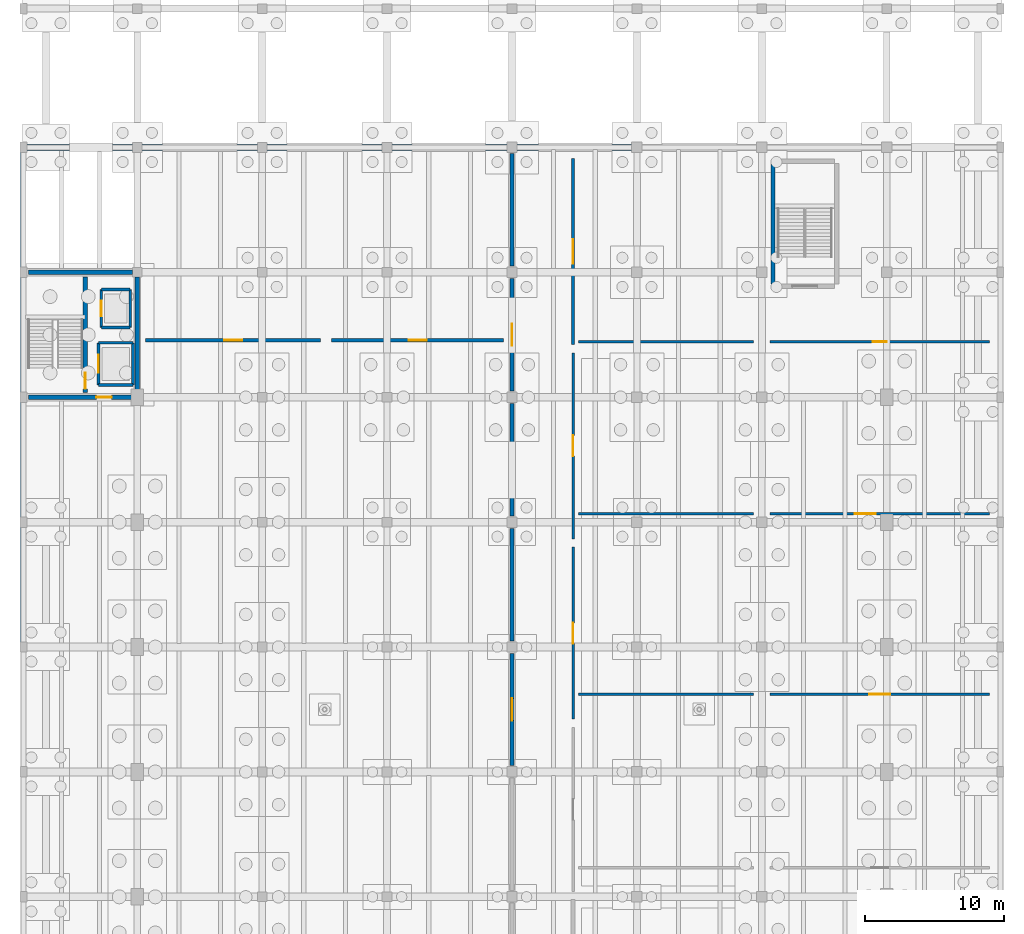
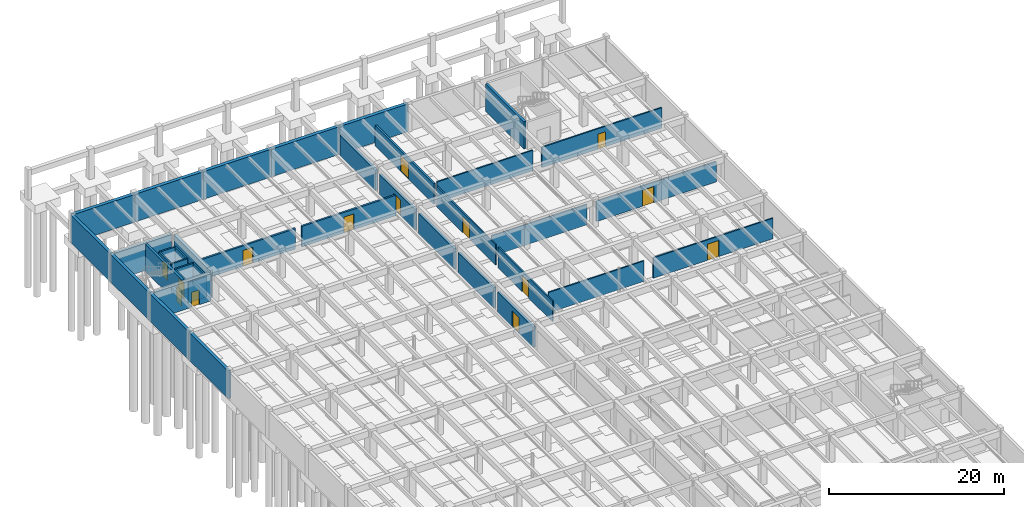
# One storey, part 20 of 23: 38 walls, 14 doors, 14 openings.
"""IFC4 building model written with IfcOpenShell, lengths in metres."""

from ifc_helpers import new_model, si_unit, direction, frame, frame_2d, origin, place, context, subcontext, project, spatial, rectangle, extrude, material, layer, layer_set, type_object, element, fill, save


model = new_model("IFC4")

# Units and contexts
model_context = context("Model", 3, precision=1e-05, world=origin(), true_north=direction((0.0, 1.0)))
body_context = subcontext(model_context, "Body", "Model", "MODEL_VIEW")
ifc_project = project(units=[si_unit("LENGTHUNIT", "METRE"), si_unit("AREAUNIT", "SQUARE_METRE"), si_unit("VOLUMEUNIT", "CUBIC_METRE"), si_unit("PLANEANGLEUNIT", "RADIAN"), si_unit("MASSUNIT", "GRAM", prefix="KILO")], contexts=[model_context])

# Site, building, storey
site_placement = place(None, origin())
site = spatial("IfcSite", under=ifc_project, at=site_placement, CompositionType="ELEMENT")
building_placement = place(site_placement, origin())
building = spatial("IfcBuilding", under=site, at=building_placement, Name="Ornek Quay Market", CompositionType="ELEMENT")
storey_placement = place(building_placement, frame((0.0, 0.0, -4.199951171875)))
storey = spatial("IfcBuildingStorey", under=building, at=storey_placement, Name="B1", CompositionType="ELEMENT", Elevation=-4.199951171875)

# Wall, opening, door
ifc_material_1 = material(Name="Concrete C40/50", Category="concrete")
ifc_layer_1 = layer(ifc_material_1, 0.300048828125, Name="Concrete C40/50", Category="concrete")
ifc_layer_set_1 = layer_set([ifc_layer_1], Name="Concrete C40/50")
wall_type_1 = type_object("IfcWallType", Name="WL-CORE-300", PredefinedType="SHEAR", material=ifc_layer_set_1)
wall_1_placement = place(storey_placement, frame((59.25, 92.35009765625, 0.0), z_axis=(0.0, 0.0, 1.0), x_axis=(0.0, 1.0, 0.0)))
wall_1 = element("IfcWall", 1, at=wall_1_placement, inside=storey, type_object=wall_type_1, Name="Interior wall W-CORE1-026", PredefinedType="SHEAR", context=body_context, shape_type="SweptSolid", body=[
    extrude(rectangle(XDim=8.2998046875, YDim=0.300048828125, at=frame_2d((4.14990234375, 0.0))), origin(), (0.0, 0.0, 1.0), 3.820068359375),
])
opening_1_placement = place(wall_1_placement, frame((0.25, 0.0, 0.0)))
opening_1 = element("IfcOpeningElement", 2, at=opening_1_placement, cuts=wall_1, Name="Opening FD-03-013", PredefinedType="OPENING", context=body_context, shape_type="SweptSolid", body=[
    extrude(rectangle(XDim=1.14990234375, YDim=2.14990234375, at=frame_2d((0.574951171875, 1.074951171875))), frame((0.0, 0.159912109375, 0.0), z_axis=(0.0, -1.0, 0.0), x_axis=(1.0, 0.0, 0.0)), (0.0, 0.0, 1.0), 0.320068359375),
])
ifc_material_2 = material(Name="Insulated fire-rated painted steel", Category="steel")
door_type_1 = type_object("IfcDoorType", Name="DR-FIRE-STAIR-1150x2150", OperationType="NOTDEFINED", PredefinedType="DOOR", material=ifc_material_2)
door_1_placement = place(opening_1_placement, origin())
door_1 = element("IfcDoor", 3, at=door_1_placement, inside=storey, type_object=door_type_1, Name="Interior door FD-03-013", OperationType="SINGLE_SWING_RIGHT", OverallHeight=2.14990234375, OverallWidth=1.14990234375, PredefinedType="DOOR", context=body_context, shape_type="SweptSolid", body=[
    extrude(rectangle(XDim=1.14990234375, YDim=2.14990234375, at=frame_2d((0.574951171875, 1.074951171875))), frame((0.0, 0.02490234375, 0.0), z_axis=(0.0, -1.0, 0.0), x_axis=(1.0, 0.0, 0.0)), (0.0, 0.0, 1.0), 0.050048828125),
])
fill(opening_1, door_1)

# Wall
wall_2_placement = place(storey_placement, frame((63.0, 92.35009765625, 0.0), z_axis=(0.0, 0.0, 1.0), x_axis=(0.0, 1.0, 0.0)))
element("IfcWall", 4, at=wall_2_placement, inside=storey, type_object=wall_type_1, Name="Interior wall W-CORE1-027", PredefinedType="SHEAR", context=body_context, shape_type="SweptSolid", body=[
    extrude(rectangle(XDim=8.2998046875, YDim=0.300048828125, at=frame_2d((4.14990234375, 0.0))), origin(), (0.0, 0.0, 1.0), 3.820068359375),
])

# Wall, opening, door
wall_3_placement = place(storey_placement, frame((55.14990234375, 92.0, 0.0), z_axis=(0.0, 0.0, 1.0), x_axis=(1.0, 0.0, 0.0)))
wall_3 = element("IfcWall", 5, at=wall_3_placement, inside=storey, type_object=wall_type_1, Name="Interior wall W-CORE1-028", PredefinedType="SHEAR", context=body_context, shape_type="SweptSolid", body=[
    extrude(rectangle(XDim=7.5, YDim=0.300048828125, at=frame_2d((3.75, 0.0))), origin(), (0.0, 0.0, 1.0), 3.820068359375),
])
opening_2_placement = place(wall_3_placement, frame((4.89990234375, 0.0, 0.0)))
opening_2 = element("IfcOpeningElement", 6, at=opening_2_placement, cuts=wall_3, Name="Opening FD-04-014", PredefinedType="OPENING", context=body_context, shape_type="SweptSolid", body=[
    extrude(rectangle(XDim=1.10009765625, YDim=2.10009765625, at=frame_2d((0.550048828125, 1.050048828125))), frame((0.0, 0.159912109375, 0.0), z_axis=(0.0, -1.0, 0.0), x_axis=(1.0, 0.0, 0.0)), (0.0, 0.0, 1.0), 0.320068359375),
])
door_type_2 = type_object("IfcDoorType", Name="DR-FIRE-LOBBY-1100x2100", OperationType="NOTDEFINED", PredefinedType="DOOR", material=ifc_material_2)
door_2_placement = place(opening_2_placement, origin())
door_2 = element("IfcDoor", 7, at=door_2_placement, inside=storey, type_object=door_type_2, Name="Interior door FD-04-014", OperationType="SINGLE_SWING_LEFT", OverallHeight=2.10009765625, OverallWidth=1.10009765625, PredefinedType="DOOR", context=body_context, shape_type="SweptSolid", body=[
    extrude(rectangle(XDim=1.10009765625, YDim=2.10009765625, at=frame_2d((0.550048828125, 1.050048828125))), frame((0.0, 0.02490234375, 0.0), z_axis=(0.0, -1.0, 0.0), x_axis=(1.0, 0.0, 0.0)), (0.0, 0.0, 1.0), 0.050048828125),
])
fill(opening_2, door_2)

# Walls
wall_4_placement = place(storey_placement, frame((55.14990234375, 101.0, 0.0), z_axis=(0.0, 0.0, 1.0), x_axis=(1.0, 0.0, 0.0)))
element("IfcWall", 8, at=wall_4_placement, inside=storey, type_object=wall_type_1, Name="Interior wall W-CORE1-029", PredefinedType="SHEAR", context=body_context, shape_type="SweptSolid", body=[
    extrude(rectangle(XDim=7.5, YDim=0.300048828125, at=frame_2d((3.75, 0.0))), origin(), (0.0, 0.0, 1.0), 3.820068359375),
])
wall_5_placement = place(storey_placement, frame((108.800048828125, 100.14990234375, 0.0), z_axis=(0.0, 0.0, 1.0), x_axis=(0.0, 1.0, 0.0)))
element("IfcWall", 9, at=wall_5_placement, inside=storey, type_object=wall_type_1, Name="Interior wall W-CORE1-176", PredefinedType="SHEAR", context=body_context, shape_type="SweptSolid", body=[
    extrude(rectangle(XDim=8.7001953125, YDim=0.300048828125, at=frame_2d((4.35009765625, 0.0))), origin(), (0.0, 0.0, 1.0), 3.820068359375),
])

# Wall, opening, door
ifc_material_3 = material(Name="Autoclaved aerated concrete masonry", Category="masonry")
ifc_layer_2 = layer(ifc_material_3, 0.179931640625, Name="Autoclaved aerated concrete masonry", Category="masonry")
ifc_layer_set_2 = layer_set([ifc_layer_2], Name="Autoclaved aerated concrete masonry")
wall_type_2 = type_object("IfcWallType", Name="WL-CORR-180", PredefinedType="STANDARD", material=ifc_layer_set_2)
wall_6_placement = place(storey_placement, frame((94.39990234375, 68.800048828125, 0.0), z_axis=(0.0, 0.0, 1.0), x_axis=(0.0, 1.0, 0.0)))
wall_6 = element("IfcWall", 10, at=wall_6_placement, inside=storey, type_object=wall_type_2, Name="Interior wall W-INT1-202", PredefinedType="STANDARD", context=body_context, shape_type="SweptSolid", body=[
    extrude(rectangle(XDim=12.39990234375, YDim=0.179931640625, at=frame_2d((6.199951171875, 0.0))), origin(), (0.0, 0.0, 1.0), 2.849853515625),
])
opening_3_placement = place(wall_6_placement, frame((5.449951171875, 0.0, 0.0)))
opening_3 = element("IfcOpeningElement", 11, at=opening_3_placement, cuts=wall_6, Name="Opening ID-01-083", PredefinedType="OPENING", context=body_context, shape_type="SweptSolid", body=[
    extrude(rectangle(XDim=1.5, YDim=2.25, at=frame_2d((0.75, 1.125))), frame((0.0, 0.099853515625, 0.0), z_axis=(0.0, -1.0, 0.0), x_axis=(1.0, 0.0, 0.0)), (0.0, 0.0, 1.0), 0.199951171875),
])
ifc_material_4 = material(Name="Solid oak and laminated glass door", Category="glass")
door_type_3 = type_object("IfcDoorType", Name="DR-INT-SHOP-1500x2250", OperationType="DOUBLE_DOOR_SINGLE_SWING", PredefinedType="DOOR", material=ifc_material_4)
door_3_placement = place(opening_3_placement, origin())
door_3 = element("IfcDoor", 12, at=door_3_placement, inside=storey, type_object=door_type_3, Name="Interior door ID-01-083", OperationType="DOUBLE_DOOR_SINGLE_SWING", OverallHeight=2.25, OverallWidth=1.5, PredefinedType="DOOR", context=body_context, shape_type="SweptSolid", body=[
    extrude(rectangle(XDim=1.5, YDim=2.25, at=frame_2d((0.75, 1.125))), frame((0.0, 0.02490234375, 0.0), z_axis=(0.0, -1.0, 0.0), x_axis=(1.0, 0.0, 0.0)), (0.0, 0.0, 1.0), 0.050048828125),
])
fill(opening_3, door_3)

wall_7_placement = place(storey_placement, frame((94.39990234375, 81.800048828125, 0.0), z_axis=(0.0, 0.0, 1.0), x_axis=(0.0, 1.0, 0.0)))
wall_7 = element("IfcWall", 13, at=wall_7_placement, inside=storey, type_object=wall_type_2, Name="Interior wall W-INT1-203", PredefinedType="STANDARD", context=body_context, shape_type="SweptSolid", body=[
    extrude(rectangle(XDim=13.39990234375, YDim=0.179931640625, at=frame_2d((6.699951171875, 0.0))), origin(), (0.0, 0.0, 1.0), 2.849853515625),
])
opening_4_placement = place(wall_7_placement, frame((5.949951171875, 0.0, 0.0)))
opening_4 = element("IfcOpeningElement", 14, at=opening_4_placement, cuts=wall_7, Name="Opening ID-01-084", PredefinedType="OPENING", context=body_context, shape_type="SweptSolid", body=[
    extrude(rectangle(XDim=1.5, YDim=2.25, at=frame_2d((0.75, 1.125))), frame((0.0, 0.099853515625, 0.0), z_axis=(0.0, -1.0, 0.0), x_axis=(1.0, 0.0, 0.0)), (0.0, 0.0, 1.0), 0.199951171875),
])
door_4_placement = place(opening_4_placement, origin())
door_4 = element("IfcDoor", 15, at=door_4_placement, inside=storey, type_object=door_type_3, Name="Interior door ID-01-084", OperationType="DOUBLE_DOOR_SINGLE_SWING", OverallHeight=2.25, OverallWidth=1.5, PredefinedType="DOOR", context=body_context, shape_type="SweptSolid", body=[
    extrude(rectangle(XDim=1.5, YDim=2.25, at=frame_2d((0.75, 1.125))), frame((0.0, 0.02490234375, 0.0), z_axis=(0.0, -1.0, 0.0), x_axis=(1.0, 0.0, 0.0)), (0.0, 0.0, 1.0), 0.050048828125),
])
fill(opening_4, door_4)

# Wall
wall_8_placement = place(storey_placement, frame((94.800048828125, 70.60009765625, 0.0), z_axis=(0.0, 0.0, 1.0), x_axis=(1.0, 0.0, 0.0)))
element("IfcWall", 16, at=wall_8_placement, inside=storey, type_object=wall_type_2, Name="Interior wall W-INT1-213", PredefinedType="STANDARD", context=body_context, shape_type="SweptSolid", body=[
    extrude(rectangle(XDim=12.599853515625, YDim=0.179931640625, at=frame_2d((6.2998046875, 0.0))), origin(), (0.0, 0.0, 1.0), 2.849853515625),
])

# Wall, opening, door
wall_9_placement = place(storey_placement, frame((108.60009765625, 70.60009765625, 0.0), z_axis=(0.0, 0.0, 1.0), x_axis=(1.0, 0.0, 0.0)))
wall_9 = element("IfcWall", 17, at=wall_9_placement, inside=storey, type_object=wall_type_2, Name="Interior wall W-INT1-214", PredefinedType="STANDARD", context=body_context, shape_type="SweptSolid", body=[
    extrude(rectangle(XDim=15.7998046875, YDim=0.179931640625, at=frame_2d((7.89990234375, 0.0))), origin(), (0.0, 0.0, 1.0), 2.849853515625),
])
opening_5_placement = place(wall_9_placement, frame((7.14990234375, 0.0, 0.0)))
opening_5 = element("IfcOpeningElement", 18, at=opening_5_placement, cuts=wall_9, Name="Opening ID-01-090", PredefinedType="OPENING", context=body_context, shape_type="SweptSolid", body=[
    extrude(rectangle(XDim=1.5, YDim=2.25, at=frame_2d((0.75, 1.125))), frame((0.0, 0.099853515625, 0.0), z_axis=(0.0, -1.0, 0.0), x_axis=(1.0, 0.0, 0.0)), (0.0, 0.0, 1.0), 0.199951171875),
])
door_5_placement = place(opening_5_placement, origin())
door_5 = element("IfcDoor", 19, at=door_5_placement, inside=storey, type_object=door_type_3, Name="Interior door ID-01-090", OperationType="DOUBLE_DOOR_SINGLE_SWING", OverallHeight=2.25, OverallWidth=1.5, PredefinedType="DOOR", context=body_context, shape_type="SweptSolid", body=[
    extrude(rectangle(XDim=1.5, YDim=2.25, at=frame_2d((0.75, 1.125))), frame((0.0, 0.02490234375, 0.0), z_axis=(0.0, -1.0, 0.0), x_axis=(1.0, 0.0, 0.0)), (0.0, 0.0, 1.0), 0.050048828125),
])
fill(opening_5, door_5)

# Wall
wall_10_placement = place(storey_placement, frame((94.800048828125, 83.60009765625, 0.0), z_axis=(0.0, 0.0, 1.0), x_axis=(1.0, 0.0, 0.0)))
element("IfcWall", 20, at=wall_10_placement, inside=storey, type_object=wall_type_2, Name="Interior wall W-INT1-215", PredefinedType="STANDARD", context=body_context, shape_type="SweptSolid", body=[
    extrude(rectangle(XDim=12.599853515625, YDim=0.179931640625, at=frame_2d((6.2998046875, 0.0))), origin(), (0.0, 0.0, 1.0), 2.849853515625),
])

# Wall, opening, door
wall_11_placement = place(storey_placement, frame((108.60009765625, 83.60009765625, 0.0), z_axis=(0.0, 0.0, 1.0), x_axis=(1.0, 0.0, 0.0)))
wall_11 = element("IfcWall", 21, at=wall_11_placement, inside=storey, type_object=wall_type_2, Name="Interior wall W-INT1-216", PredefinedType="STANDARD", context=body_context, shape_type="SweptSolid", body=[
    extrude(rectangle(XDim=15.7998046875, YDim=0.179931640625, at=frame_2d((7.89990234375, 0.0))), origin(), (0.0, 0.0, 1.0), 2.849853515625),
])
opening_6_placement = place(wall_11_placement, frame((6.10009765625, 0.0, 0.0)))
opening_6 = element("IfcOpeningElement", 22, at=opening_6_placement, cuts=wall_11, Name="Opening ID-01-091", PredefinedType="OPENING", context=body_context, shape_type="SweptSolid", body=[
    extrude(rectangle(XDim=1.5, YDim=2.25, at=frame_2d((0.75, 1.125))), frame((0.0, 0.099853515625, 0.0), z_axis=(0.0, -1.0, 0.0), x_axis=(1.0, 0.0, 0.0)), (0.0, 0.0, 1.0), 0.199951171875),
])
door_6_placement = place(opening_6_placement, origin())
door_6 = element("IfcDoor", 23, at=door_6_placement, inside=storey, type_object=door_type_3, Name="Interior door ID-01-091", OperationType="DOUBLE_DOOR_SINGLE_SWING", OverallHeight=2.25, OverallWidth=1.5, PredefinedType="DOOR", context=body_context, shape_type="SweptSolid", body=[
    extrude(rectangle(XDim=1.5, YDim=2.25, at=frame_2d((0.75, 1.125))), frame((0.0, 0.02490234375, 0.0), z_axis=(0.0, -1.0, 0.0), x_axis=(1.0, 0.0, 0.0)), (0.0, 0.0, 1.0), 0.050048828125),
])
fill(opening_6, door_6)

# Wall
wall_12_placement = place(storey_placement, frame((94.800048828125, 96.0, 0.0), z_axis=(0.0, 0.0, 1.0), x_axis=(1.0, 0.0, 0.0)))
element("IfcWall", 24, at=wall_12_placement, inside=storey, type_object=wall_type_2, Name="Interior wall W-INT1-217", PredefinedType="STANDARD", context=body_context, shape_type="SweptSolid", body=[
    extrude(rectangle(XDim=12.599853515625, YDim=0.179931640625, at=frame_2d((6.2998046875, 0.0))), origin(), (0.0, 0.0, 1.0), 2.849853515625),
])

# Wall, opening, door
wall_13_placement = place(storey_placement, frame((108.60009765625, 96.0, 0.0), z_axis=(0.0, 0.0, 1.0), x_axis=(1.0, 0.0, 0.0)))
wall_13 = element("IfcWall", 25, at=wall_13_placement, inside=storey, type_object=wall_type_2, Name="Interior wall W-INT1-218", PredefinedType="STANDARD", context=body_context, shape_type="SweptSolid", body=[
    extrude(rectangle(XDim=15.7998046875, YDim=0.179931640625, at=frame_2d((7.89990234375, 0.0))), origin(), (0.0, 0.0, 1.0), 2.849853515625),
])
opening_7_placement = place(wall_13_placement, frame((7.39990234375, 0.0, 0.0)))
opening_7 = element("IfcOpeningElement", 26, at=opening_7_placement, cuts=wall_13, Name="Opening ID-03-092", PredefinedType="OPENING", context=body_context, shape_type="SweptSolid", body=[
    extrude(rectangle(XDim=1.0, YDim=2.10009765625, at=frame_2d((0.5, 1.050048828125))), frame((0.0, 0.099853515625, 0.0), z_axis=(0.0, -1.0, 0.0), x_axis=(1.0, 0.0, 0.0)), (0.0, 0.0, 1.0), 0.199951171875),
])
ifc_material_5 = material(Name="Solid oak door", Category="other")
door_type_4 = type_object("IfcDoorType", Name="DR-INT-ROOM-1000x2100", OperationType="NOTDEFINED", PredefinedType="DOOR", material=ifc_material_5)
door_7_placement = place(opening_7_placement, origin())
door_7 = element("IfcDoor", 27, at=door_7_placement, inside=storey, type_object=door_type_4, Name="Interior door ID-03-092", OperationType="SINGLE_SWING_LEFT", OverallHeight=2.10009765625, OverallWidth=1.0, PredefinedType="DOOR", context=body_context, shape_type="SweptSolid", body=[
    extrude(rectangle(XDim=1.0, YDim=2.10009765625, at=frame_2d((0.5, 1.050048828125))), frame((0.0, 0.02490234375, 0.0), z_axis=(0.0, -1.0, 0.0), x_axis=(1.0, 0.0, 0.0)), (0.0, 0.0, 1.0), 0.050048828125),
])
fill(opening_7, door_7)

ifc_material_6 = material(Name="Concrete C35/45", Category="concrete")
ifc_layer_3 = layer(ifc_material_6, 0.239990234375, Name="Concrete C35/45", Category="concrete")
ifc_layer_set_3 = layer_set([ifc_layer_3], Name="Concrete C35/45")
wall_type_3 = type_object("IfcWallType", Name="WL-FIRE-240", PredefinedType="SOLIDWALL", material=ifc_layer_set_3)
wall_14_placement = place(storey_placement, frame((94.39990234375, 95.800048828125, 0.0), z_axis=(0.0, 0.0, 1.0), x_axis=(0.0, 1.0, 0.0)))
wall_14 = element("IfcWall", 28, at=wall_14_placement, inside=storey, type_object=wall_type_3, Name="Interior wall W-FIRE2-204", PredefinedType="SOLIDWALL", context=body_context, shape_type="SweptSolid", body=[
    extrude(rectangle(XDim=13.39990234375, YDim=0.239990234375, at=frame_2d((6.699951171875, 0.0))), origin(), (0.0, 0.0, 1.0), 2.849853515625),
])
opening_8_placement = place(wall_14_placement, frame((5.800048828125, 0.0, 0.0)))
opening_8 = element("IfcOpeningElement", 29, at=opening_8_placement, cuts=wall_14, Name="Opening FD-01-085", PredefinedType="OPENING", context=body_context, shape_type="SweptSolid", body=[
    extrude(rectangle(XDim=1.800048828125, YDim=2.199951171875, at=frame_2d((0.89990234375, 1.10009765625))), frame((0.0, 0.1298828125, 0.0), z_axis=(0.0, -1.0, 0.0), x_axis=(1.0, 0.0, 0.0)), (0.0, 0.0, 1.0), 0.260009765625),
])
door_type_5 = type_object("IfcDoorType", Name="DR-FIRE-DBL-1800x2200", OperationType="DOUBLE_DOOR_SINGLE_SWING", PredefinedType="DOOR", material=ifc_material_2)
door_8_placement = place(opening_8_placement, origin())
door_8 = element("IfcDoor", 30, at=door_8_placement, inside=storey, type_object=door_type_5, Name="Interior door FD-01-085", OperationType="DOUBLE_DOOR_SINGLE_SWING", OverallHeight=2.199951171875, OverallWidth=1.800048828125, PredefinedType="DOOR", context=body_context, shape_type="SweptSolid", body=[
    extrude(rectangle(XDim=1.800048828125, YDim=2.199951171875, at=frame_2d((0.89990234375, 1.10009765625))), frame((0.0, 0.02490234375, 0.0), z_axis=(0.0, -1.0, 0.0), x_axis=(1.0, 0.0, 0.0)), (0.0, 0.0, 1.0), 0.050048828125),
])
fill(opening_8, door_8)

wall_15_placement = place(storey_placement, frame((63.60009765625, 96.10009765625, 0.0), z_axis=(0.0, 0.0, 1.0), x_axis=(1.0, 0.0, 0.0)))
wall_15 = element("IfcWall", 31, at=wall_15_placement, inside=storey, type_object=wall_type_3, Name="Interior wall W-FIRE2-224", PredefinedType="SOLIDWALL", context=body_context, shape_type="SweptSolid", body=[
    extrude(rectangle(XDim=12.599853515625, YDim=0.239990234375, at=frame_2d((6.2998046875, 0.0))), origin(), (0.0, 0.0, 1.0), 2.849853515625),
])
opening_9_placement = place(wall_15_placement, frame((5.64990234375, 0.0, 0.0)))
opening_9 = element("IfcOpeningElement", 32, at=opening_9_placement, cuts=wall_15, Name="Opening FD-05-097", PredefinedType="OPENING", context=body_context, shape_type="SweptSolid", body=[
    extrude(rectangle(XDim=1.300048828125, YDim=2.199951171875, at=frame_2d((0.64990234375, 1.10009765625))), frame((0.0, 0.1298828125, 0.0), z_axis=(0.0, -1.0, 0.0), x_axis=(1.0, 0.0, 0.0)), (0.0, 0.0, 1.0), 0.260009765625),
])
door_type_6 = type_object("IfcDoorType", Name="DR-FIRE-PLANT-1300x2200", OperationType="NOTDEFINED", PredefinedType="DOOR", material=ifc_material_2)
door_9_placement = place(opening_9_placement, origin())
door_9 = element("IfcDoor", 33, at=door_9_placement, inside=storey, type_object=door_type_6, Name="Interior door FD-05-097", OperationType="SINGLE_SWING_RIGHT", OverallHeight=2.199951171875, OverallWidth=1.300048828125, PredefinedType="DOOR", context=body_context, shape_type="SweptSolid", body=[
    extrude(rectangle(XDim=1.300048828125, YDim=2.199951171875, at=frame_2d((0.64990234375, 1.10009765625))), frame((0.0, 0.02490234375, 0.0), z_axis=(0.0, -1.0, 0.0), x_axis=(1.0, 0.0, 0.0)), (0.0, 0.0, 1.0), 0.050048828125),
])
fill(opening_9, door_9)

wall_16_placement = place(storey_placement, frame((77.0, 96.10009765625, 0.0), z_axis=(0.0, 0.0, 1.0), x_axis=(1.0, 0.0, 0.0)))
wall_16 = element("IfcWall", 34, at=wall_16_placement, inside=storey, type_object=wall_type_3, Name="Interior wall W-FIRE2-225", PredefinedType="SOLIDWALL", context=body_context, shape_type="SweptSolid", body=[
    extrude(rectangle(XDim=12.39990234375, YDim=0.239990234375, at=frame_2d((6.199951171875, 0.0))), origin(), (0.0, 0.0, 1.0), 2.849853515625),
])
opening_10_placement = place(wall_16_placement, frame((5.550048828125, 0.0, 0.0)))
opening_10 = element("IfcOpeningElement", 35, at=opening_10_placement, cuts=wall_16, Name="Opening FD-05-098", PredefinedType="OPENING", context=body_context, shape_type="SweptSolid", body=[
    extrude(rectangle(XDim=1.300048828125, YDim=2.199951171875, at=frame_2d((0.64990234375, 1.10009765625))), frame((0.0, 0.1298828125, 0.0), z_axis=(0.0, -1.0, 0.0), x_axis=(1.0, 0.0, 0.0)), (0.0, 0.0, 1.0), 0.260009765625),
])
door_10_placement = place(opening_10_placement, origin())
door_10 = element("IfcDoor", 36, at=door_10_placement, inside=storey, type_object=door_type_6, Name="Interior door FD-05-098", OperationType="SINGLE_SWING_LEFT", OverallHeight=2.199951171875, OverallWidth=1.300048828125, PredefinedType="DOOR", context=body_context, shape_type="SweptSolid", body=[
    extrude(rectangle(XDim=1.300048828125, YDim=2.199951171875, at=frame_2d((0.64990234375, 1.10009765625))), frame((0.0, 0.02490234375, 0.0), z_axis=(0.0, -1.0, 0.0), x_axis=(1.0, 0.0, 0.0)), (0.0, 0.0, 1.0), 0.050048828125),
])
fill(opening_10, door_10)

ifc_layer_4 = layer(ifc_material_1, 0.320068359375, Name="Concrete C40/50", Category="concrete")
ifc_layer_set_4 = layer_set([ifc_layer_4], Name="Concrete C40/50")
wall_type_4 = type_object("IfcWallType", Name="WL-FIRE-320", PredefinedType="SOLIDWALL", material=ifc_layer_set_4)
wall_17_placement = place(storey_placement, frame((90.0, 65.449951171875, 0.0), z_axis=(0.0, 0.0, 1.0), x_axis=(0.0, 1.0, 0.0)))
wall_17 = element("IfcWall", 37, at=wall_17_placement, inside=storey, type_object=wall_type_4, Name="Interior wall W-FIRE1-192", PredefinedType="SOLIDWALL", context=body_context, shape_type="SweptSolid", body=[
    extrude(rectangle(XDim=8.10009765625, YDim=0.320068359375, at=frame_2d((4.050048828125, 0.0))), origin(), (0.0, 0.0, 1.0), 2.849853515625),
])
opening_11_placement = place(wall_17_placement, frame((3.25, 0.0, 0.0)))
opening_11 = element("IfcOpeningElement", 38, at=opening_11_placement, cuts=wall_17, Name="Opening FD-02-076", PredefinedType="OPENING", context=body_context, shape_type="SweptSolid", body=[
    extrude(rectangle(XDim=1.60009765625, YDim=2.199951171875, at=frame_2d((0.800048828125, 1.10009765625))), frame((0.0, 0.169921875, 0.0), z_axis=(0.0, -1.0, 0.0), x_axis=(1.0, 0.0, 0.0)), (0.0, 0.0, 1.0), 0.340087890625),
])
door_type_7 = type_object("IfcDoorType", Name="DR-FIRE-DBL-1600x2200", OperationType="DOUBLE_DOOR_SINGLE_SWING", PredefinedType="DOOR", material=ifc_material_2)
door_11_placement = place(opening_11_placement, origin())
door_11 = element("IfcDoor", 39, at=door_11_placement, inside=storey, type_object=door_type_7, Name="Interior door FD-02-076", OperationType="DOUBLE_DOOR_SINGLE_SWING", OverallHeight=2.199951171875, OverallWidth=1.60009765625, PredefinedType="DOOR", context=body_context, shape_type="SweptSolid", body=[
    extrude(rectangle(XDim=1.60009765625, YDim=2.199951171875, at=frame_2d((0.800048828125, 1.10009765625))), frame((0.0, 0.02490234375, 0.0), z_axis=(0.0, -1.0, 0.0), x_axis=(1.0, 0.0, 0.0)), (0.0, 0.0, 1.0), 0.050048828125),
])
fill(opening_11, door_11)

# Walls
for number, where, z_axis, x_axis, name in (
    (40, (90.0, 74.449951171875, 0.0), (0.0, 0.0, 1.0), (0.0, 1.0, 0.0), "Interior wall W-FIRE1-193"),
    (41, (90.0, 83.449951171875, 0.0), (0.0, 0.0, 1.0), (0.0, 1.0, 0.0), "Interior wall W-FIRE1-194"),
):
    element("IfcWall", number, at=place(storey_placement, frame(where, z_axis=z_axis, x_axis=x_axis)), inside=storey, type_object=wall_type_4, Name=name, PredefinedType="SOLIDWALL", context=body_context, shape_type="SweptSolid", body=[
        extrude(rectangle(XDim=8.10009765625, YDim=0.320068359375, at=frame_2d((4.050048828125, 0.0))), origin(), (0.0, 0.0, 1.0), 2.849853515625),
    ])

# Wall, opening, door
wall_18_placement = place(storey_placement, frame((90.0, 92.449951171875, 0.0), z_axis=(0.0, 0.0, 1.0), x_axis=(0.0, 1.0, 0.0)))
wall_18 = element("IfcWall", 42, at=wall_18_placement, inside=storey, type_object=wall_type_4, Name="Interior wall W-FIRE1-195", PredefinedType="SOLIDWALL", context=body_context, shape_type="SweptSolid", body=[
    extrude(rectangle(XDim=8.10009765625, YDim=0.320068359375, at=frame_2d((4.050048828125, 0.0))), origin(), (0.0, 0.0, 1.0), 2.849853515625),
])
opening_12_placement = place(wall_18_placement, frame((3.25, 0.0, 0.0)))
opening_12 = element("IfcOpeningElement", 43, at=opening_12_placement, cuts=wall_18, Name="Opening FD-02-077", PredefinedType="OPENING", context=body_context, shape_type="SweptSolid", body=[
    extrude(rectangle(XDim=1.60009765625, YDim=2.199951171875, at=frame_2d((0.800048828125, 1.10009765625))), frame((0.0, 0.169921875, 0.0), z_axis=(0.0, -1.0, 0.0), x_axis=(1.0, 0.0, 0.0)), (0.0, 0.0, 1.0), 0.340087890625),
])
door_12_placement = place(opening_12_placement, origin())
door_12 = element("IfcDoor", 44, at=door_12_placement, inside=storey, type_object=door_type_7, Name="Interior door FD-02-077", OperationType="DOUBLE_DOOR_SINGLE_SWING", OverallHeight=2.199951171875, OverallWidth=1.60009765625, PredefinedType="DOOR", context=body_context, shape_type="SweptSolid", body=[
    extrude(rectangle(XDim=1.60009765625, YDim=2.199951171875, at=frame_2d((0.800048828125, 1.10009765625))), frame((0.0, 0.02490234375, 0.0), z_axis=(0.0, -1.0, 0.0), x_axis=(1.0, 0.0, 0.0)), (0.0, 0.0, 1.0), 0.050048828125),
])
fill(opening_12, door_12)

# Walls
wall_19_placement = place(storey_placement, frame((90.0, 101.449951171875, 0.0), z_axis=(0.0, 0.0, 1.0), x_axis=(0.0, 1.0, 0.0)))
element("IfcWall", 45, at=wall_19_placement, inside=storey, type_object=wall_type_4, Name="Interior wall W-FIRE1-196", PredefinedType="SOLIDWALL", context=body_context, shape_type="SweptSolid", body=[
    extrude(rectangle(XDim=8.10009765625, YDim=0.320068359375, at=frame_2d((4.050048828125, 0.0))), origin(), (0.0, 0.0, 1.0), 2.849853515625),
])
ifc_layer_5 = layer(ifc_material_6, 0.39990234375, Name="Concrete C35/45", Category="concrete")
ifc_layer_set_5 = layer_set([ifc_layer_5], Name="Concrete C35/45")
wall_type_5 = type_object("IfcWallType", Name="WL-RET-400", PredefinedType="USERDEFINED", material=ifc_layer_set_5)
for number, where, z_axis, x_axis, name in (
    (46, (54.800048828125, 74.0, 0.0), (0.0, 0.0, 1.0), (0.0, 1.0, 0.0), "Exterior wall EW-031"),
    (47, (54.800048828125, 83.0, 0.0), (0.0, 0.0, 1.0), (0.0, 1.0, 0.0), "Exterior wall EW-033"),
    (48, (54.800048828125, 92.0, 0.0), (0.0, 0.0, 1.0), (0.0, 1.0, 0.0), "Exterior wall EW-035"),
    (49, (54.800048828125, 101.0, 0.0), (0.0, 0.0, 1.0), (0.0, 1.0, 0.0), "Exterior wall EW-037"),
):
    element("IfcWall", number, at=place(storey_placement, frame(where, z_axis=z_axis, x_axis=x_axis)), inside=storey, type_object=wall_type_5, Name=name, ObjectType="RETAINING WALL", PredefinedType="USERDEFINED", context=body_context, shape_type="SweptSolid", body=[
        extrude(rectangle(XDim=9.0, YDim=0.39990234375, at=frame_2d((4.5, 0.0))), origin(), (0.0, 0.0, 1.0), 3.85986328125),
    ])
ifc_layer_6 = layer(ifc_material_6, 0.449951171875, Name="Concrete C35/45", Category="concrete")
ifc_layer_set_6 = layer_set([ifc_layer_6], Name="Concrete C35/45")
wall_type_6 = type_object("IfcWallType", Name="WL-RET-450", PredefinedType="USERDEFINED", material=ifc_layer_set_6)
wall_20_placement = place(storey_placement, frame((54.800048828125, 110.0, 0.0), z_axis=(0.0, 0.0, 1.0), x_axis=(1.0, 0.0, 0.0)))
element("IfcWall", 50, at=wall_20_placement, inside=storey, type_object=wall_type_6, Name="Exterior wall EW-002", ObjectType="RETAINING WALL", PredefinedType="USERDEFINED", context=body_context, shape_type="SweptSolid", body=[
    extrude(rectangle(XDim=8.199951171875, YDim=0.449951171875, at=frame_2d((4.10009765625, 0.0))), origin(), (0.0, 0.0, 1.0), 3.85986328125),
])
for number, where, z_axis, x_axis, name in (
    (51, (63.0, 110.0, 0.0), (0.0, 0.0, 1.0), (1.0, 0.0, 0.0), "Exterior wall EW-004"),
    (52, (72.0, 110.0, 0.0), (0.0, 0.0, 1.0), (1.0, 0.0, 0.0), "Exterior wall EW-006"),
    (53, (81.0, 110.0, 0.0), (0.0, 0.0, 1.0), (1.0, 0.0, 0.0), "Exterior wall EW-008"),
    (54, (90.0, 110.0, 0.0), (0.0, 0.0, 1.0), (1.0, 0.0, 0.0), "Exterior wall EW-010"),
):
    element("IfcWall", number, at=place(storey_placement, frame(where, z_axis=z_axis, x_axis=x_axis)), inside=storey, type_object=wall_type_6, Name=name, ObjectType="RETAINING WALL", PredefinedType="USERDEFINED", context=body_context, shape_type="SweptSolid", body=[
        extrude(rectangle(XDim=9.0, YDim=0.449951171875, at=frame_2d((4.5, 0.0))), origin(), (0.0, 0.0, 1.0), 3.85986328125),
    ])

# Wall, opening, door
ifc_layer_7 = layer(ifc_material_6, 0.199951171875, Name="Concrete C35/45", Category="concrete")
ifc_layer_set_7 = layer_set([ifc_layer_7], Name="Concrete C35/45")
wall_type_7 = type_object("IfcWallType", Name="WL-SHAFT-200", PredefinedType="SOLIDWALL", material=ifc_layer_set_7)
wall_21_placement = place(storey_placement, frame((60.2099609375, 92.8798828125, 0.0), z_axis=(0.0, 0.0, 1.0), x_axis=(0.0, 1.0, 0.0)))
wall_21 = element("IfcWall", 55, at=wall_21_placement, inside=storey, type_object=wall_type_7, Name="Interior wall W-CORE3-030", PredefinedType="SOLIDWALL", context=body_context, shape_type="SweptSolid", body=[
    extrude(rectangle(XDim=3.0400390625, YDim=0.199951171875, at=frame_2d((1.52001953125, 0.0))), origin(), (0.0, 0.0, 1.0), 2.849853515625),
])
opening_13_placement = place(wall_21_placement, frame((0.8701171875, 0.0, 0.0)))
opening_13 = element("IfcOpeningElement", 56, at=opening_13_placement, cuts=wall_21, Name="Opening LD-02-015", PredefinedType="OPENING", context=body_context, shape_type="SweptSolid", body=[
    extrude(rectangle(XDim=1.300048828125, YDim=2.199951171875, at=frame_2d((0.64990234375, 1.10009765625))), frame((0.0, 0.10986328125, 0.0), z_axis=(0.0, -1.0, 0.0), x_axis=(1.0, 0.0, 0.0)), (0.0, 0.0, 1.0), 0.219970703125),
])
ifc_material_7 = material(Name="Brushed stainless steel goods lift door", Category="steel")
door_type_8 = type_object("IfcDoorType", Name="DR-LIFT-1300x2200", OperationType="DOUBLE_DOOR_SLIDING", PredefinedType="DOOR", material=ifc_material_7)
door_13_placement = place(opening_13_placement, origin())
door_13 = element("IfcDoor", 57, at=door_13_placement, inside=storey, type_object=door_type_8, Name="Interior door LD-02-015", OperationType="DOUBLE_DOOR_SLIDING", OverallHeight=2.199951171875, OverallWidth=1.300048828125, PredefinedType="DOOR", context=body_context, shape_type="SweptSolid", body=[
    extrude(rectangle(XDim=1.300048828125, YDim=2.199951171875, at=frame_2d((0.64990234375, 1.10009765625))), frame((0.0, 0.02490234375, 0.0), z_axis=(0.0, -1.0, 0.0), x_axis=(1.0, 0.0, 0.0)), (0.0, 0.0, 1.0), 0.050048828125),
])
fill(opening_13, door_13)

# Walls
for number, where, z_axis, x_axis, name in (
    (58, (60.2099609375, 92.8798828125, 0.0), (0.0, 0.0, 1.0), (1.0, 0.0, 0.0), "Interior wall W-CORE3-031"),
    (59, (60.2099609375, 95.919921875, 0.0), (0.0, 0.0, 1.0), (1.0, 0.0, 0.0), "Interior wall W-CORE3-032"),
):
    element("IfcWall", number, at=place(storey_placement, frame(where, z_axis=z_axis, x_axis=x_axis)), inside=storey, type_object=wall_type_7, Name=name, PredefinedType="SOLIDWALL", context=body_context, shape_type="SweptSolid", body=[
        extrude(rectangle(XDim=2.47998046875, YDim=0.199951171875, at=frame_2d((1.239990234375, 0.0))), origin(), (0.0, 0.0, 1.0), 2.849853515625),
    ])
wall_22_placement = place(storey_placement, frame((62.68994140625, 92.8798828125, 0.0), z_axis=(0.0, 0.0, 1.0), x_axis=(0.0, 1.0, 0.0)))
element("IfcWall", 60, at=wall_22_placement, inside=storey, type_object=wall_type_7, Name="Interior wall W-CORE3-033", PredefinedType="SOLIDWALL", context=body_context, shape_type="SweptSolid", body=[
    extrude(rectangle(XDim=3.0400390625, YDim=0.199951171875, at=frame_2d((1.52001953125, 0.0))), origin(), (0.0, 0.0, 1.0), 2.849853515625),
])

# Wall, opening, door
wall_23_placement = place(storey_placement, frame((60.409912109375, 97.030029296875, 0.0), z_axis=(0.0, 0.0, 1.0), x_axis=(0.0, 1.0, 0.0)))
wall_23 = element("IfcWall", 61, at=wall_23_placement, inside=storey, type_object=wall_type_7, Name="Interior wall W-CORE3-034", PredefinedType="SOLIDWALL", context=body_context, shape_type="SweptSolid", body=[
    extrude(rectangle(XDim=2.739990234375, YDim=0.199951171875, at=frame_2d((1.3701171875, 0.0))), origin(), (0.0, 0.0, 1.0), 2.849853515625),
])
opening_14_placement = place(wall_23_placement, frame((0.820068359375, 0.0, 0.0)))
opening_14 = element("IfcOpeningElement", 62, at=opening_14_placement, cuts=wall_23, Name="Opening LD-01-016", PredefinedType="OPENING", context=body_context, shape_type="SweptSolid", body=[
    extrude(rectangle(XDim=1.10009765625, YDim=2.10009765625, at=frame_2d((0.550048828125, 1.050048828125))), frame((0.0, 0.10986328125, 0.0), z_axis=(0.0, -1.0, 0.0), x_axis=(1.0, 0.0, 0.0)), (0.0, 0.0, 1.0), 0.219970703125),
])
ifc_material_8 = material(Name="Brushed stainless steel landing door", Category="steel")
door_type_9 = type_object("IfcDoorType", Name="DR-LIFT-1100x2100", OperationType="SLIDING_TO_LEFT", PredefinedType="DOOR", material=ifc_material_8)
door_14_placement = place(opening_14_placement, origin())
door_14 = element("IfcDoor", 63, at=door_14_placement, inside=storey, type_object=door_type_9, Name="Interior door LD-01-016", OperationType="SLIDING_TO_LEFT", OverallHeight=2.10009765625, OverallWidth=1.10009765625, PredefinedType="DOOR", context=body_context, shape_type="SweptSolid", body=[
    extrude(rectangle(XDim=1.10009765625, YDim=2.10009765625, at=frame_2d((0.550048828125, 1.050048828125))), frame((0.0, 0.02490234375, 0.0), z_axis=(0.0, -1.0, 0.0), x_axis=(1.0, 0.0, 0.0)), (0.0, 0.0, 1.0), 0.050048828125),
])
fill(opening_14, door_14)

# Walls
for number, where, z_axis, x_axis, name in (
    (64, (60.409912109375, 97.030029296875, 0.0), (0.0, 0.0, 1.0), (1.0, 0.0, 0.0), "Interior wall W-CORE3-035"),
    (65, (60.409912109375, 99.77001953125, 0.0), (0.0, 0.0, 1.0), (1.0, 0.0, 0.0), "Interior wall W-CORE3-036"),
):
    element("IfcWall", number, at=place(storey_placement, frame(where, z_axis=z_axis, x_axis=x_axis)), inside=storey, type_object=wall_type_7, Name=name, PredefinedType="SOLIDWALL", context=body_context, shape_type="SweptSolid", body=[
        extrude(rectangle(XDim=2.080078125, YDim=0.199951171875, at=frame_2d((1.0400390625, 0.0))), origin(), (0.0, 0.0, 1.0), 2.849853515625),
    ])
wall_24_placement = place(storey_placement, frame((62.489990234375, 97.030029296875, 0.0), z_axis=(0.0, 0.0, 1.0), x_axis=(0.0, 1.0, 0.0)))
element("IfcWall", 66, at=wall_24_placement, inside=storey, type_object=wall_type_7, Name="Interior wall W-CORE3-037", PredefinedType="SOLIDWALL", context=body_context, shape_type="SweptSolid", body=[
    extrude(rectangle(XDim=2.739990234375, YDim=0.199951171875, at=frame_2d((1.3701171875, 0.0))), origin(), (0.0, 0.0, 1.0), 2.849853515625),
])

save(model, "model.ifc")
